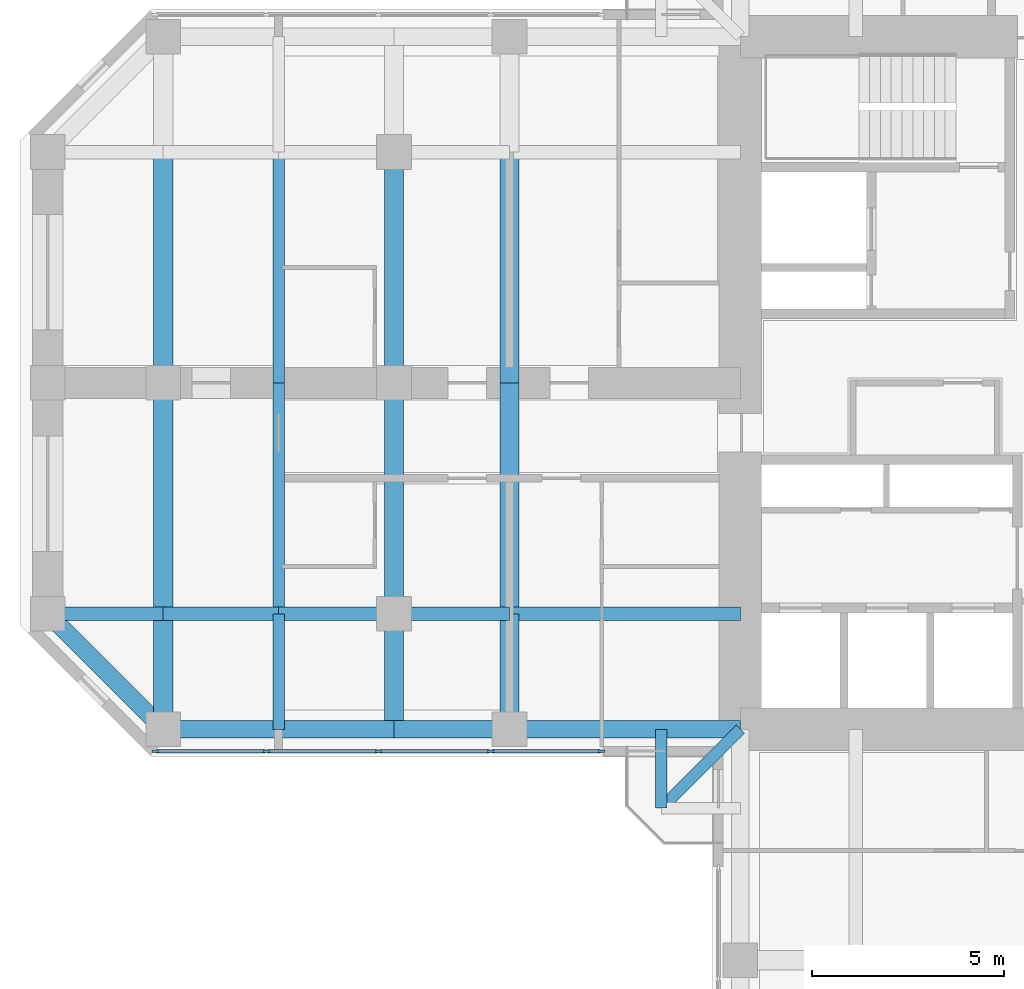
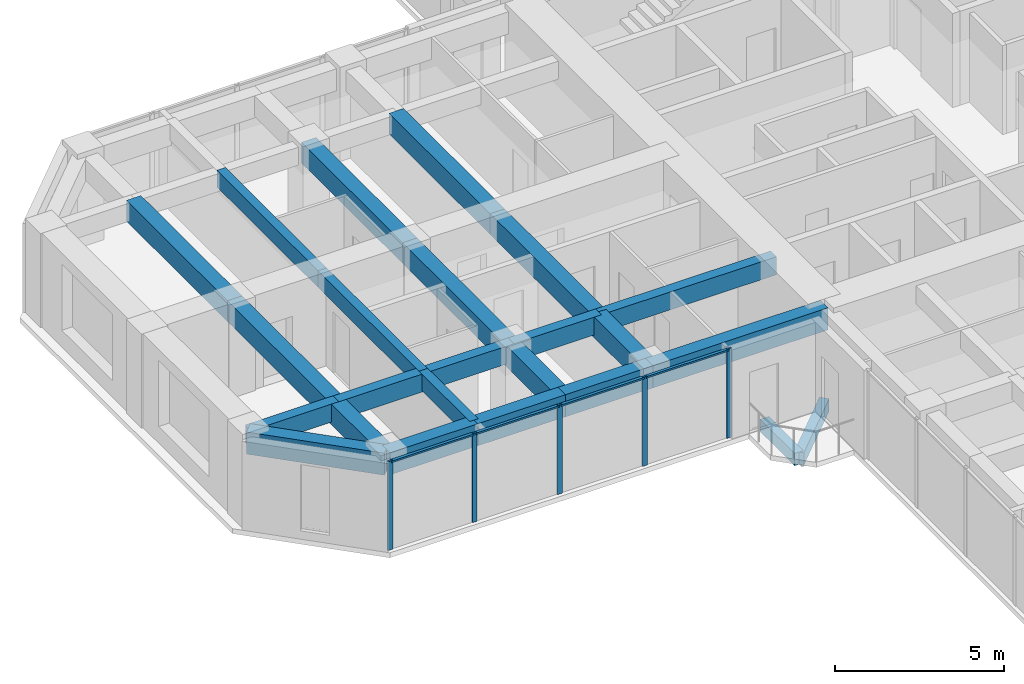
# One storey, part 3 of 14: 24 beams, 9 members, 1 element without a shape of its own.
"""IFC4 building model written with IfcOpenShell, lengths in metres."""

from ifc_helpers import new_model, si_unit, direction, frame, origin, origin_2d, place, context, subcontext, project, spatial, rectangle, extrude, material, material_profile, profile_set, type_object, element, aggregate, save


model = new_model("IFC4")

# Units and contexts
model_context = context("Model", 3, precision=1e-05, world=origin(), true_north=direction((0.0, 1.0)))
body_context = subcontext(model_context, "Body", "Model", "MODEL_VIEW")
ifc_project = project(units=[si_unit("LENGTHUNIT", "METRE"), si_unit("AREAUNIT", "SQUARE_METRE"), si_unit("VOLUMEUNIT", "CUBIC_METRE"), si_unit("PLANEANGLEUNIT", "RADIAN"), si_unit("MASSUNIT", "GRAM", prefix="KILO")], contexts=[model_context])

# Site, building, storey
site_placement = place(None, origin())
site = spatial("IfcSite", under=ifc_project, at=site_placement, CompositionType="ELEMENT")
building_placement = place(site_placement, origin())
building = spatial("IfcBuilding", under=site, at=building_placement, Name="Torre Cruceta", CompositionType="ELEMENT")
storey_placement = place(building_placement, frame((0.0, 0.0, 179.699951171875)))
storey = spatial("IfcBuildingStorey", under=building, at=storey_placement, Name="L44", CompositionType="ELEMENT", Elevation=179.699951171875)

# Beams
ifc_material_1 = material(Name="Concrete G60 (fck 60 MPa)", Category="concrete")
ifc_material_profile_1 = material_profile(ifc_material_1, rectangle(XDim=0.300048828125, YDim=0.449951171875, at=origin_2d()), Name="RC 300X450")
ifc_profile_set_1 = profile_set([ifc_material_profile_1], Name="Concrete G60 (fck 60 MPa)")
beam_type_1 = type_object("IfcBeamType", Name="BALCONY CANTILEVER BEAM RC 300X450", PredefinedType="BEAM", material=ifc_profile_set_1)
beam_1_placement = place(storey_placement, frame((-9.0, -9.0, -0.405029296875), z_axis=(-0.707106781187, -0.707106781187, 0.0), x_axis=(0.707106781187, -0.707106781187, 0.0)))
element("IfcBeam", 1, at=beam_1_placement, inside=storey, type_object=beam_type_1, Name="BB1 balcony beam L44 W", PredefinedType="BEAM", context=body_context, shape_type="SweptSolid", body=[
    extrude(rectangle(XDim=0.300048828125, YDim=0.449951171875, at=origin_2d()), origin(), (0.0, 0.0, 1.0), 2.89990234375),
])
beam_2_placement = place(storey_placement, frame((-11.050537109375, -9.0, -0.405029296875), z_axis=(0.0, -1.0, 0.0), x_axis=(1.0, 0.0, 0.0)))
element("IfcBeam", 2, at=beam_2_placement, inside=storey, type_object=beam_type_1, Name="BB1 balcony edge beam L44 W-X", PredefinedType="BEAM", context=body_context, shape_type="SweptSolid", body=[
    extrude(rectangle(XDim=0.300048828125, YDim=0.449951171875, at=origin_2d()), origin(), (0.0, 0.0, 1.0), 2.050537109375),
])
ifc_material_2 = material(Name="Concrete G60 (fck 60 MPa)", Category="concrete")
ifc_material_profile_2 = material_profile(ifc_material_2, rectangle(XDim=0.35009765625, YDim=0.64990234375, at=origin_2d()), Name="RC 350X650")
ifc_profile_set_2 = profile_set([ifc_material_profile_2], Name="Concrete G60 (fck 60 MPa)")
beam_type_2 = type_object("IfcBeamType", Name="COLUMN LINE BEAM RC 350X650", PredefinedType="BEAM", material=ifc_profile_set_2)
beam_3_placement = place(storey_placement, frame((-9.0, -6.0, 2.89501953125), z_axis=(-1.0, 0.0, 0.0), x_axis=(0.0, -1.0, 0.0)))
element("IfcBeam", 3, at=beam_3_placement, inside=storey, type_object=beam_type_2, Name="LB7 L44 W col+ 1", PredefinedType="BEAM", context=body_context, shape_type="SweptSolid", body=[
    extrude(rectangle(XDim=0.35009765625, YDim=0.64990234375, at=origin_2d()), origin(), (0.0, 0.0, 1.0), 6.0),
])
for number, where, z_axis, x_axis, name in (
    (4, (-15.0, -6.0, 2.89501953125), (-1.0, 0.0, 0.0), (0.0, -1.0, 0.0), "LB7 L44 W col+ 2"),
    (5, (-18.0, -6.0, 2.89501953125), (-1.0, 0.0, 0.0), (0.0, -1.0, 0.0), "LB7 L44 W col+ 3"),
    (6, (-21.0, -6.0, 2.89501953125), (-1.0, 0.0, 0.0), (0.0, -1.0, 0.0), "LB7 L44 W col+ 4"),
    (7, (-24.0, -6.0, 2.89501953125), (-1.0, 0.0, 0.0), (0.0, -1.0, 0.0), "LB7 L44 W col+ 5"),
):
    element("IfcBeam", number, at=place(storey_placement, frame(where, z_axis=z_axis, x_axis=x_axis)), inside=storey, type_object=beam_type_2, Name=name, PredefinedType="BEAM", context=body_context, shape_type="SweptSolid", body=[
        extrude(rectangle(XDim=0.35009765625, YDim=0.64990234375, at=origin_2d()), origin(), (0.0, 0.0, 1.0), 3.0),
    ])
ifc_material_3 = material(Name="Concrete G60 (fck 60 MPa)", Category="concrete")
ifc_material_profile_3 = material_profile(ifc_material_3, rectangle(XDim=0.5, YDim=0.75, at=origin_2d()), Name="RC 500X750")
ifc_profile_set_3 = profile_set([ifc_material_profile_3], Name="Concrete G60 (fck 60 MPa)")
beam_type_3 = type_object("IfcBeamType", Name="CROSS BEAM RC 500X750", PredefinedType="BEAM", material=ifc_profile_set_3)
for number, where, z_axis, x_axis, name in (
    (8, (-15.0, 6.0, 2.844970703125), (0.0, -1.0, 0.0), (1.0, 0.0, 0.0), "GB6 L44 W cross15 2"),
    (9, (-15.0, 0.0, 2.844970703125), (0.0, -1.0, 0.0), (1.0, 0.0, 0.0), "GB6 L44 W cross15 3"),
):
    element("IfcBeam", number, at=place(storey_placement, frame(where, z_axis=z_axis, x_axis=x_axis)), inside=storey, type_object=beam_type_3, Name=name, PredefinedType="BEAM", context=body_context, shape_type="SweptSolid", body=[
        extrude(rectangle(XDim=0.5, YDim=0.75, at=origin_2d()), origin(), (0.0, 0.0, 1.0), 6.0),
    ])
beam_4_placement = place(storey_placement, frame((-15.0, -6.0, 2.844970703125), z_axis=(0.0, -1.0, 0.0), x_axis=(1.0, 0.0, 0.0)))
element("IfcBeam", 10, at=beam_4_placement, inside=storey, type_object=beam_type_3, Name="GB6 L44 W cross15 4", PredefinedType="BEAM", context=body_context, shape_type="SweptSolid", body=[
    extrude(rectangle(XDim=0.5, YDim=0.75, at=origin_2d()), origin(), (0.0, 0.0, 1.0), 3.0),
])
for number, where, z_axis, x_axis, name in (
    (11, (-18.0, 6.0, 2.844970703125), (0.0, -1.0, 0.0), (1.0, 0.0, 0.0), "GB6 L44 W cross18 2"),
    (12, (-18.0, 0.0, 2.844970703125), (0.0, -1.0, 0.0), (1.0, 0.0, 0.0), "GB6 L44 W cross18 3"),
):
    element("IfcBeam", number, at=place(storey_placement, frame(where, z_axis=z_axis, x_axis=x_axis)), inside=storey, type_object=beam_type_3, Name=name, PredefinedType="BEAM", context=body_context, shape_type="SweptSolid", body=[
        extrude(rectangle(XDim=0.5, YDim=0.75, at=origin_2d()), origin(), (0.0, 0.0, 1.0), 6.0),
    ])
beam_5_placement = place(storey_placement, frame((-18.0, -6.0, 2.844970703125), z_axis=(0.0, -1.0, 0.0), x_axis=(1.0, 0.0, 0.0)))
element("IfcBeam", 13, at=beam_5_placement, inside=storey, type_object=beam_type_3, Name="GB6 L44 W cross18 4", PredefinedType="BEAM", context=body_context, shape_type="SweptSolid", body=[
    extrude(rectangle(XDim=0.5, YDim=0.75, at=origin_2d()), origin(), (0.0, 0.0, 1.0), 3.0),
])
for number, where, z_axis, x_axis, name in (
    (14, (-24.0, 6.0, 2.844970703125), (0.0, -1.0, 0.0), (1.0, 0.0, 0.0), "GB6 L44 W cross24 2"),
    (15, (-24.0, 0.0, 2.844970703125), (0.0, -1.0, 0.0), (1.0, 0.0, 0.0), "GB6 L44 W cross24 3"),
):
    element("IfcBeam", number, at=place(storey_placement, frame(where, z_axis=z_axis, x_axis=x_axis)), inside=storey, type_object=beam_type_3, Name=name, PredefinedType="BEAM", context=body_context, shape_type="SweptSolid", body=[
        extrude(rectangle(XDim=0.5, YDim=0.75, at=origin_2d()), origin(), (0.0, 0.0, 1.0), 6.0),
    ])
beam_6_placement = place(storey_placement, frame((-24.0, -6.0, 2.844970703125), z_axis=(0.0, -1.0, 0.0), x_axis=(1.0, 0.0, 0.0)))
element("IfcBeam", 16, at=beam_6_placement, inside=storey, type_object=beam_type_3, Name="GB6 L44 W cross24 4", PredefinedType="BEAM", context=body_context, shape_type="SweptSolid", body=[
    extrude(rectangle(XDim=0.5, YDim=0.75, at=origin_2d()), origin(), (0.0, 0.0, 1.0), 3.0),
])

# Curtain wall, members
ifc_material_4 = material(Name="Aluminium unitised curtain wall", Category="aluminium")
curtain_wall_type = type_object("IfcCurtainWallType", Name="CURTAIN WALL CW-C CO-LIVING", PredefinedType="USERDEFINED", material=ifc_material_4)
curtain_wall_placement = place(storey_placement, origin())
curtain_wall = element("IfcCurtainWall", 17, at=curtain_wall_placement, inside=storey, type_object=curtain_wall_type, Name="CW-C L44 W side 14", ObjectType="UNITISED", PredefinedType="USERDEFINED")
ifc_material_5 = material(Name="Aluminium mullion", Category="aluminium")
ifc_material_profile_4 = material_profile(ifc_material_5, rectangle(XDim=0.06005859375, YDim=0.159912109375, at=origin_2d()), Name="AL 60X160")
ifc_profile_set_4 = profile_set([ifc_material_profile_4], Name="Aluminium mullion")
member_type_1 = type_object("IfcMemberType", Name="CW-C MULLION 60X160", PredefinedType="MULLION", material=ifc_profile_set_4)
member_1_placement = place(storey_placement, frame((-24.2060546875, -9.570068359375, 0.0), z_axis=(0.0, 0.0, 1.0), x_axis=(0.0, 1.0, 0.0)))
member_1 = element("IfcMember", 18, at=member_1_placement, type_object=member_type_1, Name="CW-C mullion 1", PredefinedType="MULLION", context=body_context, shape_type="SweptSolid", body=[
    extrude(rectangle(XDim=0.06005859375, YDim=0.159912109375, at=origin_2d()), origin(), (0.0, 0.0, 1.0), 3.219970703125),
])
member_2_placement = place(storey_placement, frame((-21.319580078125, -9.570068359375, 0.0), z_axis=(0.0, 0.0, 1.0), x_axis=(0.0, 1.0, 0.0)))
member_2 = element("IfcMember", 19, at=member_2_placement, type_object=member_type_1, Name="CW-C mullion 2", PredefinedType="MULLION", context=body_context, shape_type="SweptSolid", body=[
    extrude(rectangle(XDim=0.06005859375, YDim=0.159912109375, at=origin_2d()), origin(), (0.0, 0.0, 1.0), 3.219970703125),
])
member_3_placement = place(storey_placement, frame((-18.403076171875, -9.570068359375, 0.0), z_axis=(0.0, 0.0, 1.0), x_axis=(0.0, 1.0, 0.0)))
member_3 = element("IfcMember", 20, at=member_3_placement, type_object=member_type_1, Name="CW-C mullion 3", PredefinedType="MULLION", context=body_context, shape_type="SweptSolid", body=[
    extrude(rectangle(XDim=0.06005859375, YDim=0.159912109375, at=origin_2d()), origin(), (0.0, 0.0, 1.0), 3.219970703125),
])
member_4_placement = place(storey_placement, frame((-15.486572265625, -9.570068359375, 0.0), z_axis=(0.0, 0.0, 1.0), x_axis=(0.0, 1.0, 0.0)))
member_4 = element("IfcMember", 21, at=member_4_placement, type_object=member_type_1, Name="CW-C mullion 4", PredefinedType="MULLION", context=body_context, shape_type="SweptSolid", body=[
    extrude(rectangle(XDim=0.06005859375, YDim=0.159912109375, at=origin_2d()), origin(), (0.0, 0.0, 1.0), 3.219970703125),
])
member_5_placement = place(storey_placement, frame((-12.60009765625, -9.570068359375, 0.0), z_axis=(0.0, 0.0, 1.0), x_axis=(0.0, 1.0, 0.0)))
member_5 = element("IfcMember", 22, at=member_5_placement, type_object=member_type_1, Name="CW-C mullion 5", PredefinedType="MULLION", context=body_context, shape_type="SweptSolid", body=[
    extrude(rectangle(XDim=0.06005859375, YDim=0.159912109375, at=origin_2d()), origin(), (0.0, 0.0, 1.0), 3.219970703125),
])
ifc_material_6 = material(Name="Aluminium transom", Category="aluminium")
ifc_material_profile_5 = material_profile(ifc_material_6, rectangle(XDim=0.10009765625, YDim=0.06005859375, at=origin_2d()), Name="AL 100X60")
ifc_profile_set_5 = profile_set([ifc_material_profile_5], Name="Aluminium transom")
member_type_2 = type_object("IfcMemberType", Name="CW-C TRANSOM 60X100", PredefinedType="USERDEFINED", material=ifc_profile_set_5)
member_6_placement = place(storey_placement, frame((-24.176025390625, -9.570068359375, 3.18994140625), z_axis=(1.0, 0.0, 0.0), x_axis=(0.0, 1.0, 0.0)))
member_6 = element("IfcMember", 23, at=member_6_placement, type_object=member_type_2, Name="CW-C transom 1", ObjectType="TRANSOM", PredefinedType="USERDEFINED", context=body_context, shape_type="SweptSolid", body=[
    extrude(rectangle(XDim=0.10009765625, YDim=0.06005859375, at=origin_2d()), origin(), (0.0, 0.0, 1.0), 2.826416015625),
])
member_7_placement = place(storey_placement, frame((-21.28955078125, -9.570068359375, 3.18994140625), z_axis=(1.0, 0.0, 0.0), x_axis=(0.0, 1.0, 0.0)))
member_7 = element("IfcMember", 24, at=member_7_placement, type_object=member_type_2, Name="CW-C transom 2", ObjectType="TRANSOM", PredefinedType="USERDEFINED", context=body_context, shape_type="SweptSolid", body=[
    extrude(rectangle(XDim=0.10009765625, YDim=0.06005859375, at=origin_2d()), origin(), (0.0, 0.0, 1.0), 2.8564453125),
])
member_8_placement = place(storey_placement, frame((-18.373046875, -9.570068359375, 3.18994140625), z_axis=(1.0, 0.0, 0.0), x_axis=(0.0, 1.0, 0.0)))
member_8 = element("IfcMember", 25, at=member_8_placement, type_object=member_type_2, Name="CW-C transom 3", ObjectType="TRANSOM", PredefinedType="USERDEFINED", context=body_context, shape_type="SweptSolid", body=[
    extrude(rectangle(XDim=0.10009765625, YDim=0.06005859375, at=origin_2d()), origin(), (0.0, 0.0, 1.0), 2.8564453125),
])
member_9_placement = place(storey_placement, frame((-15.45654296875, -9.570068359375, 3.18994140625), z_axis=(1.0, 0.0, 0.0), x_axis=(0.0, 1.0, 0.0)))
member_9 = element("IfcMember", 26, at=member_9_placement, type_object=member_type_2, Name="CW-C transom 4", ObjectType="TRANSOM", PredefinedType="USERDEFINED", context=body_context, shape_type="SweptSolid", body=[
    extrude(rectangle(XDim=0.10009765625, YDim=0.06005859375, at=origin_2d()), origin(), (0.0, 0.0, 1.0), 2.82666015625),
])
aggregate(curtain_wall, [member_1, member_2, member_3, member_4, member_5, member_6, member_7, member_8, member_9])

# Beams
ifc_material_7 = material(Name="Concrete G60 (fck 60 MPa)", Category="concrete")
ifc_material_profile_6 = material_profile(ifc_material_7, rectangle(XDim=0.300048828125, YDim=0.60009765625, at=origin_2d()), Name="RC 300X600")
ifc_profile_set_6 = profile_set([ifc_material_profile_6], Name="Concrete G60 (fck 60 MPa)")
beam_type_4 = type_object("IfcBeamType", Name="SECONDARY BEAM RC 300X600", PredefinedType="JOIST", material=ifc_profile_set_6)
for number, where, z_axis, x_axis, name in (
    (27, (-21.0, 6.0, 2.920166015625), (0.0, -1.0, 0.0), (1.0, 0.0, 0.0), "JB6 L44 W sec21 2"),
    (28, (-21.0, 0.0, 2.920166015625), (0.0, -1.0, 0.0), (1.0, 0.0, 0.0), "JB6 L44 W sec21 3"),
):
    element("IfcBeam", number, at=place(storey_placement, frame(where, z_axis=z_axis, x_axis=x_axis)), inside=storey, type_object=beam_type_4, Name=name, PredefinedType="JOIST", context=body_context, shape_type="SweptSolid", body=[
        extrude(rectangle(XDim=0.300048828125, YDim=0.60009765625, at=origin_2d()), origin(), (0.0, 0.0, 1.0), 6.0),
    ])
beam_7_placement = place(storey_placement, frame((-21.0, -6.0, 2.920166015625), z_axis=(0.0, -1.0, 0.0), x_axis=(1.0, 0.0, 0.0)))
element("IfcBeam", 29, at=beam_7_placement, inside=storey, type_object=beam_type_4, Name="JB6 L44 W sec21 4", PredefinedType="JOIST", context=body_context, shape_type="SweptSolid", body=[
    extrude(rectangle(XDim=0.300048828125, YDim=0.60009765625, at=origin_2d()), origin(), (0.0, 0.0, 1.0), 3.0),
])
ifc_material_8 = material(Name="Concrete G60 (fck 60 MPa)", Category="concrete")
ifc_material_profile_7 = material_profile(ifc_material_8, rectangle(XDim=0.449951171875, YDim=0.800048828125, at=origin_2d()), Name="RC 450X800")
ifc_profile_set_7 = profile_set([ifc_material_profile_7], Name="Concrete G60 (fck 60 MPa)")
beam_type_5 = type_object("IfcBeamType", Name="SPANDREL BEAM RC 450X800", PredefinedType="SPANDREL", material=ifc_profile_set_7)
beam_8_placement = place(storey_placement, frame((-9.0, -9.0, 2.820068359375), z_axis=(-1.0, 0.0, 0.0), x_axis=(0.0, -1.0, 0.0)))
element("IfcBeam", 30, at=beam_8_placement, inside=storey, type_object=beam_type_5, Name="SB6 L44 W side+ 1", PredefinedType="SPANDREL", context=body_context, shape_type="SweptSolid", body=[
    extrude(rectangle(XDim=0.449951171875, YDim=0.800048828125, at=origin_2d()), origin(), (0.0, 0.0, 1.0), 6.0),
])
for number, where, z_axis, x_axis, name in (
    (31, (-15.0, -9.0, 2.820068359375), (-1.0, 0.0, 0.0), (0.0, -1.0, 0.0), "SB6 L44 W side+ 2"),
    (32, (-18.0, -9.0, 2.820068359375), (-1.0, 0.0, 0.0), (0.0, -1.0, 0.0), "SB6 L44 W side+ 3"),
    (33, (-21.0, -9.0, 2.820068359375), (-1.0, 0.0, 0.0), (0.0, -1.0, 0.0), "SB6 L44 W side+ 4"),
):
    element("IfcBeam", number, at=place(storey_placement, frame(where, z_axis=z_axis, x_axis=x_axis)), inside=storey, type_object=beam_type_5, Name=name, PredefinedType="SPANDREL", context=body_context, shape_type="SweptSolid", body=[
        extrude(rectangle(XDim=0.449951171875, YDim=0.800048828125, at=origin_2d()), origin(), (0.0, 0.0, 1.0), 3.0),
    ])
beam_9_placement = place(storey_placement, frame((-24.0, -9.0, 2.820068359375), z_axis=(-0.707106781187, 0.707106781187, 0.0), x_axis=(-0.707106781187, -0.707106781187, 0.0)))
element("IfcBeam", 34, at=beam_9_placement, inside=storey, type_object=beam_type_5, Name="SB6 L44 W side+ 5", PredefinedType="SPANDREL", context=body_context, shape_type="SweptSolid", body=[
    extrude(rectangle(XDim=0.449951171875, YDim=0.800048828125, at=origin_2d()), origin(), (0.0, 0.0, 1.0), 4.24267578125),
])

save(model, "model.ifc")
